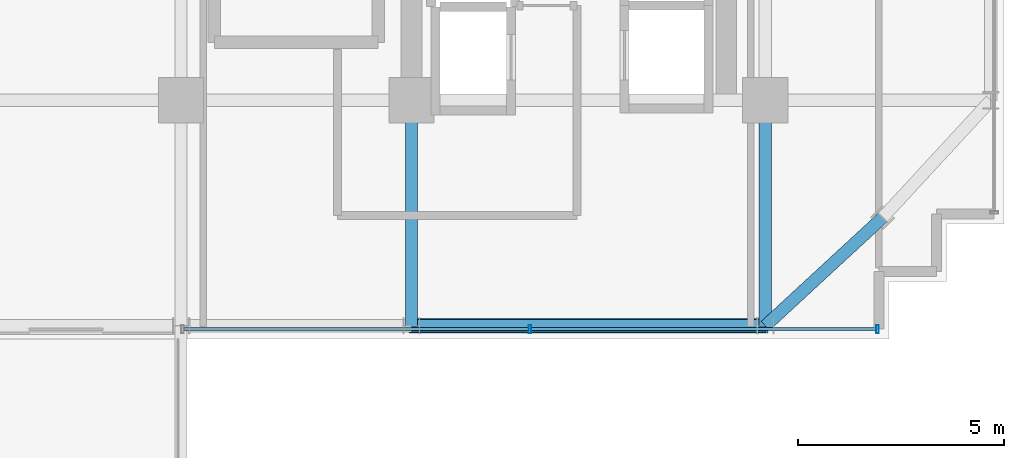
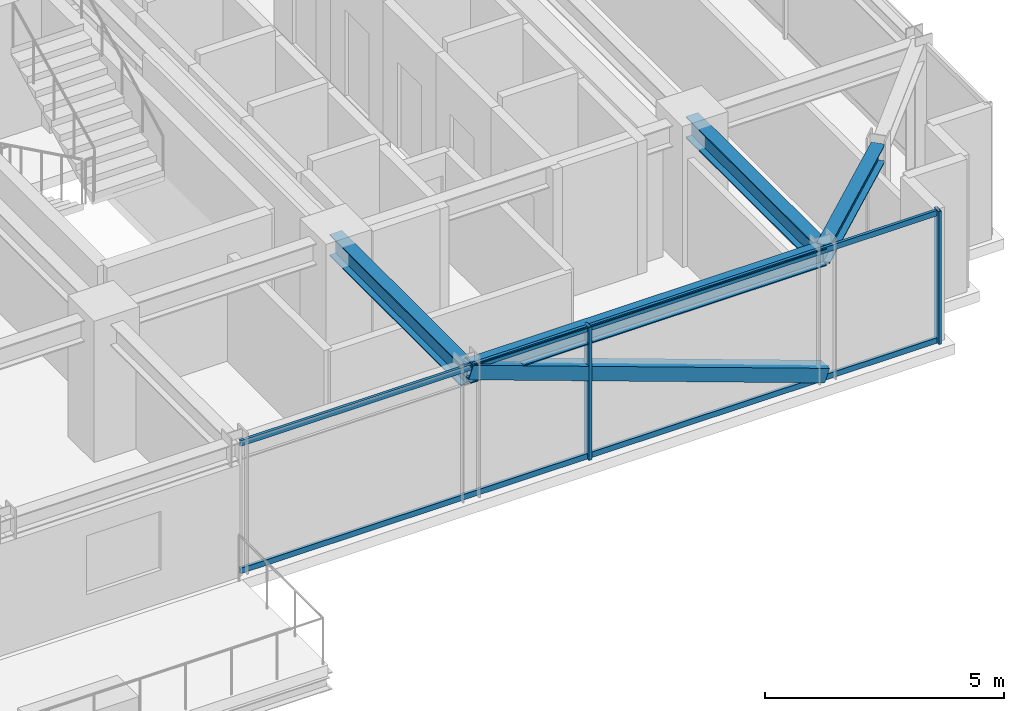
# One storey, part 12 of 35: 7 members, 4 beams, 1 element without a shape of its own.
"""IFC4 building model written with IfcOpenShell, lengths in metres."""

from ifc_helpers import new_model, si_unit, direction, frame, origin, origin_2d, place, context, subcontext, project, spatial, hollow_rectangle, i_section, extrude, source, transform, mapped, material, material_profile, profile_set, type_object, element, aggregate, save


model = new_model("IFC4")

# Units and contexts
model_context = context("Model", 3, precision=1e-05, world=origin(), true_north=direction((0.0, 1.0)))
body_context = subcontext(model_context, "Body", "Model", "MODEL_VIEW")
ifc_project = project(units=[si_unit("LENGTHUNIT", "METRE"), si_unit("AREAUNIT", "SQUARE_METRE"), si_unit("VOLUMEUNIT", "CUBIC_METRE"), si_unit("PLANEANGLEUNIT", "RADIAN"), si_unit("MASSUNIT", "GRAM", prefix="KILO")], contexts=[model_context])

# Site, building, storey
site_placement = place(None, origin())
site = spatial("IfcSite", under=ifc_project, at=site_placement, CompositionType="ELEMENT")
building_placement = place(site_placement, origin())
building = spatial("IfcBuilding", under=site, at=building_placement, Name="Nahalor Promenade Grand Hotel", CompositionType="ELEMENT")
storey_placement = place(building_placement, frame((0.0, 0.0, 185.5)))
storey = spatial("IfcBuildingStorey", under=building, at=storey_placement, Name="L47", CompositionType="ELEMENT", Elevation=185.5)

# Beams
ifc_material_1 = material(Name="Steel S355JR", Category="steel")
ifc_material_profile_1 = material_profile(ifc_material_1, i_section(OverallWidth=0.3, OverallDepth=0.55, WebThickness=0.015, FlangeThickness=0.029, at=origin_2d()), Name="HEB 550")
ifc_profile_set_1 = profile_set([ifc_material_profile_1], Name="Steel S355JR")
beam_type_1 = type_object("IfcBeamType", Name="Beam-Girder-HEB550", PredefinedType="BEAM", material=ifc_profile_set_1)
shared_shape_1 = source(origin(), body_context, "Body", "SweptSolid", [
    extrude(i_section(OverallWidth=0.3, OverallDepth=0.55, WebThickness=0.015, FlangeThickness=0.029, at=origin_2d()), origin(), (0.0, 0.0, 1.0), 5.47998046875),
])
for number, where, z_axis, x_axis, name in (
    (1, (8.39990234375, -22.47998046875, 3.114990234375), (0.0, 1.0, 0.0), (-1.0, 0.0, 0.0), "BM-L47-GY-4-0"),
    (2, (17.0, -22.47998046875, 3.114990234375), (0.0, 1.0, 0.0), (-1.0, 0.0, 0.0), "BM-L47-GY-5-0"),
):
    element("IfcBeam", number, at=place(storey_placement, frame(where, z_axis=z_axis, x_axis=x_axis)), inside=storey, type_object=beam_type_1, Name=name, PredefinedType="BEAM", context=body_context, shape_type="MappedRepresentation", body=[
        mapped(shared_shape_1, transform((0.0, 0.0, 0.0), scale=1.0)),
    ])
ifc_material_profile_2 = material_profile(ifc_material_1, i_section(OverallWidth=0.3, OverallDepth=0.45, WebThickness=0.014, FlangeThickness=0.026, at=origin_2d()), Name="HEB 450")
ifc_profile_set_2 = profile_set([ifc_material_profile_2], Name="Steel S355JR")
beam_type_2 = type_object("IfcBeamType", Name="Beam-Spandrel-HEB450", PredefinedType="SPANDREL", material=ifc_profile_set_2)
shared_shape_2 = source(origin(), body_context, "Body", "SweptSolid", [
    extrude(i_section(OverallWidth=0.3, OverallDepth=0.45, WebThickness=0.014, FlangeThickness=0.026, at=origin_2d()), origin(), (0.0, 0.0, 1.0), 8.60009765625),
])
beam_1_placement = place(storey_placement, frame((8.39990234375, -22.47998046875, 3.1650390625), z_axis=(1.0, 0.0, 0.0), x_axis=(0.0, 1.0, 0.0)))
element("IfcBeam", 3, at=beam_1_placement, inside=storey, type_object=beam_type_2, Name="BM-L47-SP-S-4", PredefinedType="SPANDREL", context=body_context, shape_type="MappedRepresentation", body=[
    mapped(shared_shape_2, transform((0.0, 0.0, 0.0), scale=1.0)),
])
shared_shape_3 = source(origin(), body_context, "Body", "SweptSolid", [
    extrude(i_section(OverallWidth=0.3, OverallDepth=0.45, WebThickness=0.014, FlangeThickness=0.026, at=origin_2d()), origin(), (0.0, 0.0, 1.0), 3.878173828125),
])
beam_2_placement = place(storey_placement, frame((17.0, -22.47998046875, 3.1650390625), z_axis=(0.73492893846, 0.678144125843, 0.0), x_axis=(-0.678144125843, 0.73492893846, 0.0)))
element("IfcBeam", 4, at=beam_2_placement, inside=storey, type_object=beam_type_2, Name="BM-L47-SPC-SE-1", PredefinedType="SPANDREL", context=body_context, shape_type="MappedRepresentation", body=[
    mapped(shared_shape_3, transform((0.0, 0.0, 0.0), scale=1.0)),
])

# Member
ifc_material_profile_3 = material_profile(ifc_material_1, hollow_rectangle(XDim=0.35, YDim=0.35, WallThickness=0.02, at=origin_2d()), Name="SHS 350x350x20")
ifc_profile_set_3 = profile_set([ifc_material_profile_3], Name="Steel S355JR")
member_type_1 = type_object("IfcMemberType", Name="Mem-VoidBrace-SHS350", PredefinedType="BRACE", material=ifc_profile_set_3)
shared_shape_4 = source(origin(), body_context, "Body", "SweptSolid", [
    extrude(hollow_rectangle(XDim=0.35, YDim=0.35, WallThickness=0.02, at=origin_2d()), origin(), (0.0, 0.0, 1.0), 9.138427734375),
])
member_1_placement = place(storey_placement, frame((17.0, -22.47998046875, 0.14990234375), z_axis=(-0.941094643271, 0.0, 0.338143272012), x_axis=(0.0, -1.0, 0.0)))
element("IfcMember", 5, at=member_1_placement, inside=storey, type_object=member_type_1, Name="EXO-L47-S-1", PredefinedType="BRACE", context=body_context, shape_type="MappedRepresentation", body=[
    mapped(shared_shape_4, transform((0.0, 0.0, 0.0), scale=1.0)),
])

# Curtain wall, members
ifc_material_2 = material(Name="Anodised Bronze Aluminium EN AW-6063 T6", Category="aluminium")
curtain_wall_type = type_object("IfcCurtainWallType", Name="CW3 Elliptical-Void Collar Unitised Curtain Wall", PredefinedType="USERDEFINED", material=ifc_material_2)
curtain_wall_placement = place(storey_placement, origin())
curtain_wall = element("IfcCurtainWall", 6, at=curtain_wall_placement, inside=storey, type_object=curtain_wall_type, Name="L47 Curtain Wall CW-L47-S-3", ObjectType="UNITISED_CURTAIN_WALL", PredefinedType="USERDEFINED")
ifc_material_profile_4 = material_profile(ifc_material_2, hollow_rectangle(XDim=0.07, YDim=0.14, WallThickness=0.004, at=origin_2d()), Name="CWT 70x140x4")
ifc_profile_set_4 = profile_set([ifc_material_profile_4], Name="Anodised Bronze Aluminium EN AW-6063 T6")
member_type_2 = type_object("IfcMemberType", Name="CWT3 Void Collar Transom 70x140", PredefinedType="USERDEFINED", material=ifc_profile_set_4)
shared_shape_5 = source(origin(), body_context, "Body", "SweptSolid", [
    extrude(hollow_rectangle(XDim=0.07, YDim=0.14, WallThickness=0.004, at=origin_2d()), origin(), (0.0, 0.0, 1.0), 8.375),
])
member_2_placement = place(storey_placement, frame((2.8701171875, -22.56005859375, 0.070068359375), z_axis=(1.0, 0.0, 0.0), x_axis=(0.0, 1.0, 0.0)))
member_2 = element("IfcMember", 7, at=member_2_placement, type_object=member_type_2, Name="CW-L47-S-3 Transom 0-0", ObjectType="TRANSOM", PredefinedType="USERDEFINED", context=body_context, shape_type="MappedRepresentation", body=[
    mapped(shared_shape_5, transform((0.0, 0.0, 0.0), scale=1.0)),
])
member_3_placement = place(storey_placement, frame((2.8701171875, -22.56005859375, 3.320068359375), z_axis=(1.0, 0.0, 0.0), x_axis=(0.0, 1.0, 0.0)))
member_3 = element("IfcMember", 8, at=member_3_placement, type_object=member_type_2, Name="CW-L47-S-3 Transom 0-1", ObjectType="TRANSOM", PredefinedType="USERDEFINED", context=body_context, shape_type="MappedRepresentation", body=[
    mapped(shared_shape_5, transform((0.0, 0.0, 0.0), scale=1.0)),
])
member_4_placement = place(storey_placement, frame((11.31494140625, -22.56005859375, 0.070068359375), z_axis=(1.0, 0.0, 0.0), x_axis=(0.0, 1.0, 0.0)))
member_4 = element("IfcMember", 9, at=member_4_placement, type_object=member_type_2, Name="CW-L47-S-3 Transom 1-0", ObjectType="TRANSOM", PredefinedType="USERDEFINED", context=body_context, shape_type="MappedRepresentation", body=[
    mapped(shared_shape_5, transform((0.0, 0.0, 0.0), scale=1.0)),
])
member_5_placement = place(storey_placement, frame((11.31494140625, -22.56005859375, 3.320068359375), z_axis=(1.0, 0.0, 0.0), x_axis=(0.0, 1.0, 0.0)))
member_5 = element("IfcMember", 10, at=member_5_placement, type_object=member_type_2, Name="CW-L47-S-3 Transom 1-1", ObjectType="TRANSOM", PredefinedType="USERDEFINED", context=body_context, shape_type="MappedRepresentation", body=[
    mapped(shared_shape_5, transform((0.0, 0.0, 0.0), scale=1.0)),
])
ifc_material_profile_5 = material_profile(ifc_material_2, hollow_rectangle(XDim=0.07, YDim=0.2, WallThickness=0.005, at=origin_2d()), Name="CWM 70x200x5")
ifc_profile_set_5 = profile_set([ifc_material_profile_5], Name="Anodised Bronze Aluminium EN AW-6063 T6")
member_type_3 = type_object("IfcMemberType", Name="CWM3 Void Collar Mullion 70x200", PredefinedType="MULLION", material=ifc_profile_set_5)
shared_shape_6 = source(origin(), body_context, "Body", "SweptSolid", [
    extrude(hollow_rectangle(XDim=0.07, YDim=0.2, WallThickness=0.005, at=origin_2d()), origin(), (0.0, 0.0, 1.0), 3.389892578125),
])
member_6_placement = place(storey_placement, frame((11.280029296875, -22.56005859375, 0.0), z_axis=(0.0, 0.0, 1.0), x_axis=(1.0, 0.0, 0.0)))
member_6 = element("IfcMember", 11, at=member_6_placement, type_object=member_type_3, Name="CW-L47-S-3 Mullion 1", PredefinedType="MULLION", context=body_context, shape_type="MappedRepresentation", body=[
    mapped(shared_shape_6, transform((0.0, 0.0, 0.0), scale=1.0)),
])
member_7_placement = place(storey_placement, frame((19.72509765625, -22.56005859375, 0.0), z_axis=(0.0, 0.0, 1.0), x_axis=(1.0, 0.0, 0.0)))
member_7 = element("IfcMember", 12, at=member_7_placement, type_object=member_type_3, Name="CW-L47-S-3 Mullion 2", PredefinedType="MULLION", context=body_context, shape_type="MappedRepresentation", body=[
    mapped(shared_shape_6, transform((0.0, 0.0, 0.0), scale=1.0)),
])
aggregate(curtain_wall, [member_6, member_7, member_2, member_3, member_4, member_5])

save(model, "model.ifc")
